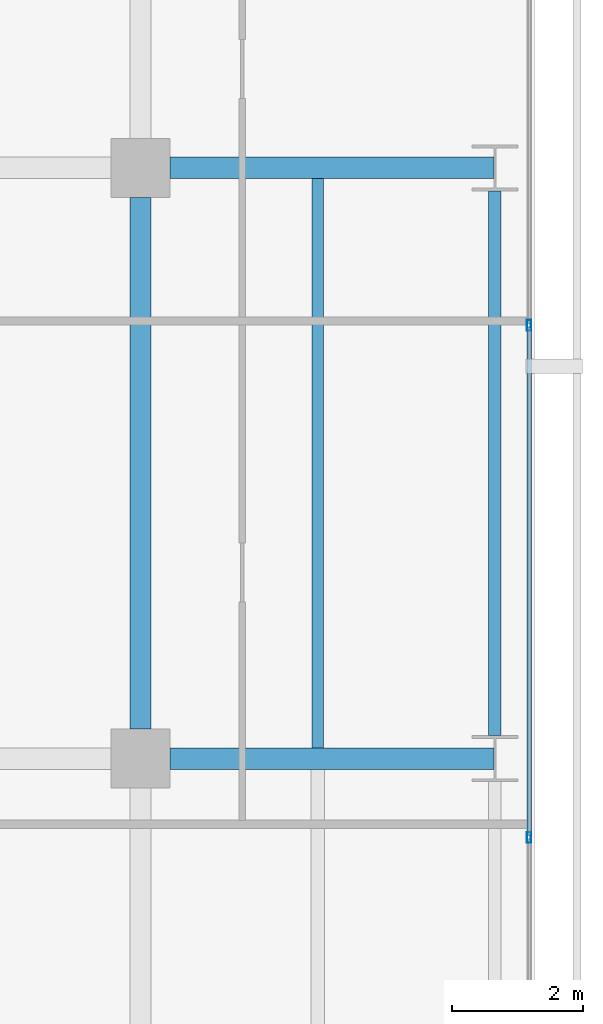
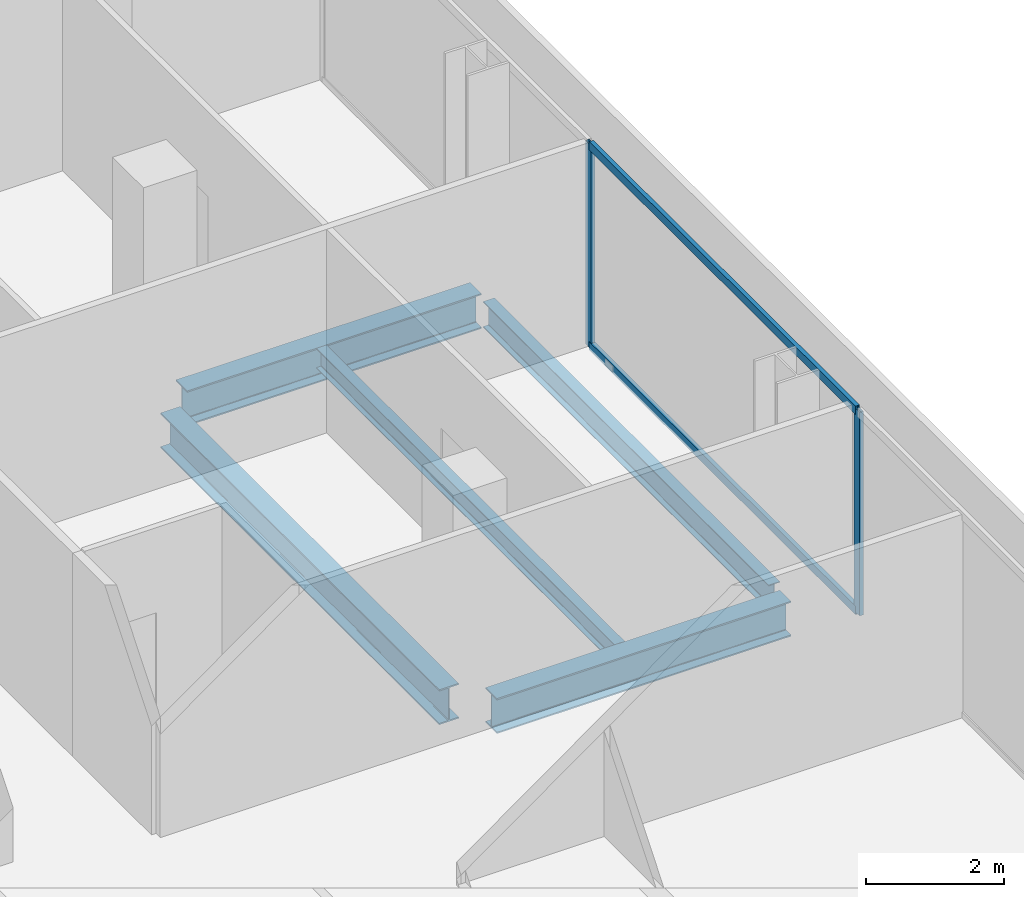
# One storey, part 28 of 40: 5 beams, 4 members, 1 element without a shape of its own.
"""IFC4 building model written with IfcOpenShell, lengths in metres."""

from ifc_helpers import new_model, si_unit, direction, frame, origin, origin_2d, place, context, subcontext, project, spatial, hollow_rectangle, i_section, extrude, material, layer, layer_set, material_profile, profile_set, type_object, element, aggregate, save


model = new_model("IFC4")

# Units and contexts
model_context = context("Model", 3, precision=1e-05, world=origin(), true_north=direction((0.0, 1.0)))
body_context = subcontext(model_context, "Body", "Model", "MODEL_VIEW")
ifc_project = project(units=[si_unit("LENGTHUNIT", "METRE"), si_unit("AREAUNIT", "SQUARE_METRE"), si_unit("VOLUMEUNIT", "CUBIC_METRE"), si_unit("PLANEANGLEUNIT", "RADIAN"), si_unit("MASSUNIT", "GRAM", prefix="KILO")], contexts=[model_context])

# Site, building, storey
site_placement = place(None, origin())
site = spatial("IfcSite", under=ifc_project, at=site_placement, CompositionType="ELEMENT")
building_placement = place(site_placement, origin())
building = spatial("IfcBuilding", under=site, at=building_placement, Name="Maruvema Waterfront Hotel and Observation Tower", CompositionType="ELEMENT")
storey_placement = place(building_placement, frame((0.0, 0.0, 38.5)))
storey = spatial("IfcBuildingStorey", under=building, at=storey_placement, Name="L08", CompositionType="ELEMENT", Elevation=38.5)

# Curtain wall, members
ifc_material_1 = material(Name="Anodised bronze aluminium and solar-control low-E IGU", Category="aluminium")
ifc_layer = layer(ifc_material_1, 0.159912109375, Name="Zone 1 Bronze Inner Thermal Curtain Wall System CW-02")
ifc_layer_set = layer_set([ifc_layer], Name="Anodised bronze aluminium and solar-control low-E IGU")
curtain_wall_type = type_object("IfcCurtainWallType", Name="Zone 1 Bronze Inner Thermal Curtain Wall System CW-02", PredefinedType="USERDEFINED", material=ifc_layer_set)
curtain_wall_placement = place(storey_placement, origin())
curtain_wall = element("IfcCurtainWall", 1, at=curtain_wall_placement, inside=storey, type_object=curtain_wall_type, Name="L08 Curtain Wall CW-L08-E", ObjectType="UNITISED CURTAIN WALL", PredefinedType="USERDEFINED")
ifc_material_2 = material(Name="Anodised architectural bronze aluminium", Category="aluminium")
ifc_material_profile_1 = material_profile(ifc_material_2, hollow_rectangle(XDim=0.070068359375, YDim=0.14990234375, WallThickness=0.00390625, at=origin_2d()), Name="ALU-T70x150")
ifc_profile_set_1 = profile_set([ifc_material_profile_1], Name="Anodised architectural bronze aluminium")
member_type_1 = type_object("IfcMemberType", Name="Curtain Wall Horizontal Transom ALU-T70x150", PredefinedType="USERDEFINED", material=ifc_profile_set_1)
member_1_placement = place(storey_placement, frame((64.719970703125, 34.830078125, 0.030029296875), z_axis=(0.0, 1.0, 0.0), x_axis=(-1.0, 0.0, 0.0)))
member_1 = element("IfcMember", 2, at=member_1_placement, type_object=member_type_1, Name="CW-02 transom 5.1", ObjectType="TRANSOM", PredefinedType="USERDEFINED", context=body_context, shape_type="SweptSolid", body=[
    extrude(hollow_rectangle(XDim=0.070068359375, YDim=0.14990234375, WallThickness=0.00390625, at=origin_2d()), origin(), (0.0, 0.0, 1.0), 7.739990234375),
])
member_2_placement = place(storey_placement, frame((64.719970703125, 34.830078125, 3.580078125), z_axis=(0.0, 1.0, 0.0), x_axis=(-1.0, 0.0, 0.0)))
member_2 = element("IfcMember", 3, at=member_2_placement, type_object=member_type_1, Name="CW-02 transom 5.2", ObjectType="TRANSOM", PredefinedType="USERDEFINED", context=body_context, shape_type="SweptSolid", body=[
    extrude(hollow_rectangle(XDim=0.070068359375, YDim=0.14990234375, WallThickness=0.00390625, at=origin_2d()), origin(), (0.0, 0.0, 1.0), 7.739990234375),
])
ifc_material_3 = material(Name="Anodised architectural bronze aluminium", Category="aluminium")
ifc_material_profile_2 = material_profile(ifc_material_3, hollow_rectangle(XDim=0.06494140625, YDim=0.1650390625, WallThickness=0.00390625, at=origin_2d()), Name="ALU-M65x165")
ifc_profile_set_2 = profile_set([ifc_material_profile_2], Name="Anodised architectural bronze aluminium")
member_type_2 = type_object("IfcMemberType", Name="Curtain Wall Primary Mullion ALU-M65x165", PredefinedType="MULLION", material=ifc_profile_set_2)
member_3_placement = place(storey_placement, frame((64.719970703125, 34.800048828125, 0.0), z_axis=(0.0, 0.0, 1.0), x_axis=(-1.0, 0.0, 0.0)))
member_3 = element("IfcMember", 4, at=member_3_placement, type_object=member_type_2, Name="CW-02 mullion 5", PredefinedType="MULLION", context=body_context, shape_type="SweptSolid", body=[
    extrude(hollow_rectangle(XDim=0.06494140625, YDim=0.1650390625, WallThickness=0.00390625, at=origin_2d()), origin(), (0.0, 0.0, 1.0), 3.610107421875),
])
member_4_placement = place(storey_placement, frame((64.719970703125, 42.60009765625, 0.0), z_axis=(0.0, 0.0, 1.0), x_axis=(-1.0, 0.0, 0.0)))
member_4 = element("IfcMember", 5, at=member_4_placement, type_object=member_type_2, Name="CW-02 mullion 6", PredefinedType="MULLION", context=body_context, shape_type="SweptSolid", body=[
    extrude(hollow_rectangle(XDim=0.06494140625, YDim=0.1650390625, WallThickness=0.00390625, at=origin_2d()), origin(), (0.0, 0.0, 1.0), 3.610107421875),
])
aggregate(curtain_wall, [member_3, member_4, member_1, member_2])

# Beams
ifc_material_4 = material(Name="Steel ASTM A572 Grade 50", Category="steel")
ifc_material_profile_3 = material_profile(ifc_material_4, i_section(OverallWidth=0.18994140625, OverallDepth=0.45703125, WebThickness=0.009033203125, FlangeThickness=0.014404296875, FilletRadius=0.014892578125, at=origin_2d()), Name="W460x74.0")
ifc_profile_set_3 = profile_set([ifc_material_profile_3], Name="Steel ASTM A572 Grade 50")
beam_type_1 = type_object("IfcBeamType", Name="Perimeter Spandrel Beam W460x74.0", PredefinedType="SPANDREL", material=ifc_profile_set_3)
beam_1_placement = place(storey_placement, frame((64.199951171875, 36.35009765625, -0.468505859375), z_axis=(0.0, 1.0, 0.0), x_axis=(-1.0, 0.0, 0.0)))
element("IfcBeam", 6, at=beam_1_placement, inside=storey, type_object=beam_type_1, Name="L08 Floor Girder NS-36", PredefinedType="SPANDREL", context=body_context, shape_type="SweptSolid", body=[
    extrude(i_section(OverallWidth=0.18994140625, OverallDepth=0.45703125, WebThickness=0.009033203125, FlangeThickness=0.014404296875, FilletRadius=0.014892578125, at=origin_2d()), origin(), (0.0, 0.0, 1.0), 8.2998046875),
])
ifc_material_5 = material(Name="Steel ASTM A572 Grade 50", Category="steel")
ifc_material_profile_4 = material_profile(ifc_material_5, i_section(OverallWidth=0.326904296875, OverallDepth=0.6220703125, WebThickness=0.015380859375, FlangeThickness=0.0244140625, FilletRadius=0.01806640625, at=origin_2d()), Name="W610x195.0")
ifc_profile_set_4 = profile_set([ifc_material_profile_4], Name="Steel ASTM A572 Grade 50")
beam_type_2 = type_object("IfcBeamType", Name="Primary Floor Girder W610x195.0", PredefinedType="BEAM", material=ifc_profile_set_4)
for number, where, z_axis, x_axis, name in (
    (7, (59.25, 36.0, -0.551025390625), (1.0, 0.0, 0.0), (0.0, 1.0, 0.0), "L08 Floor Girder EW-31"),
    (8, (59.25, 45.0, -0.551025390625), (1.0, 0.0, 0.0), (0.0, 1.0, 0.0), "L08 Floor Girder EW-35"),
):
    element("IfcBeam", number, at=place(storey_placement, frame(where, z_axis=z_axis, x_axis=x_axis)), inside=storey, type_object=beam_type_2, Name=name, PredefinedType="BEAM", context=body_context, shape_type="SweptSolid", body=[
        extrude(i_section(OverallWidth=0.326904296875, OverallDepth=0.6220703125, WebThickness=0.015380859375, FlangeThickness=0.0244140625, FilletRadius=0.01806640625, at=origin_2d()), origin(), (0.0, 0.0, 1.0), 4.93603515625),
    ])
beam_2_placement = place(storey_placement, frame((58.800048828125, 36.449951171875, -0.551025390625), z_axis=(0.0, 1.0, 0.0), x_axis=(-1.0, 0.0, 0.0)))
element("IfcBeam", 9, at=beam_2_placement, inside=storey, type_object=beam_type_2, Name="L08 Floor Girder NS-31", PredefinedType="BEAM", context=body_context, shape_type="SweptSolid", body=[
    extrude(i_section(OverallWidth=0.326904296875, OverallDepth=0.6220703125, WebThickness=0.015380859375, FlangeThickness=0.0244140625, FilletRadius=0.01806640625, at=origin_2d()), origin(), (0.0, 0.0, 1.0), 8.10009765625),
])
ifc_material_6 = material(Name="Steel ASTM A572 Grade 50", Category="steel")
ifc_material_profile_5 = material_profile(ifc_material_6, i_section(OverallWidth=0.1708984375, OverallDepth=0.35498046875, WebThickness=0.007080078125, FlangeThickness=0.01171875, FilletRadius=0.014892578125, at=origin_2d()), Name="W360x51.0")
ifc_profile_set_5 = profile_set([ifc_material_profile_5], Name="Steel ASTM A572 Grade 50")
beam_type_3 = type_object("IfcBeamType", Name="Secondary Floor Joist W360x51.0", PredefinedType="JOIST", material=ifc_profile_set_5)
beam_3_placement = place(storey_placement, frame((61.5, 36.16357421875, -0.41748046875), z_axis=(0.0, 1.0, 0.0), x_axis=(-1.0, 0.0, 0.0)))
element("IfcBeam", 10, at=beam_3_placement, inside=storey, type_object=beam_type_3, Name="L08 Secondary Floor Joist JS-24", PredefinedType="JOIST", context=body_context, shape_type="SweptSolid", body=[
    extrude(i_section(OverallWidth=0.1708984375, OverallDepth=0.35498046875, WebThickness=0.007080078125, FlangeThickness=0.01171875, FilletRadius=0.014892578125, at=origin_2d()), origin(), (0.0, 0.0, 1.0), 8.6728515625),
])

save(model, "model.ifc")
